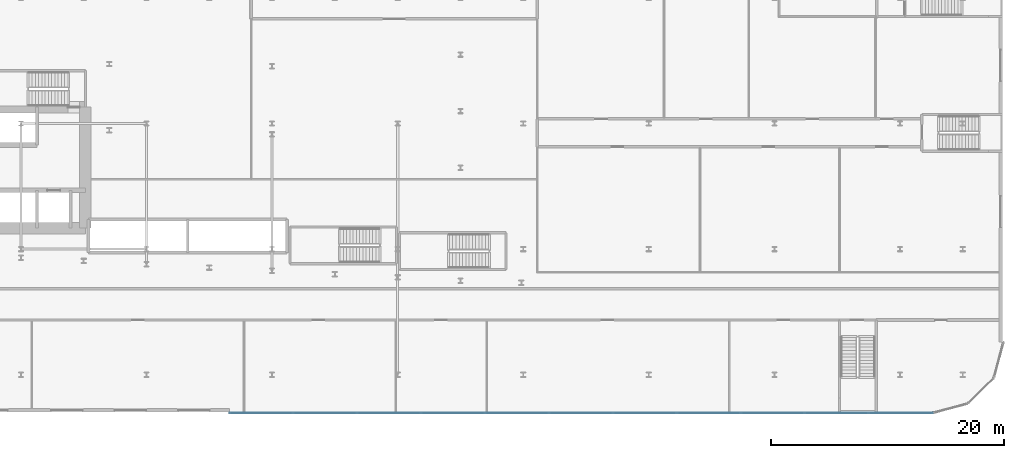
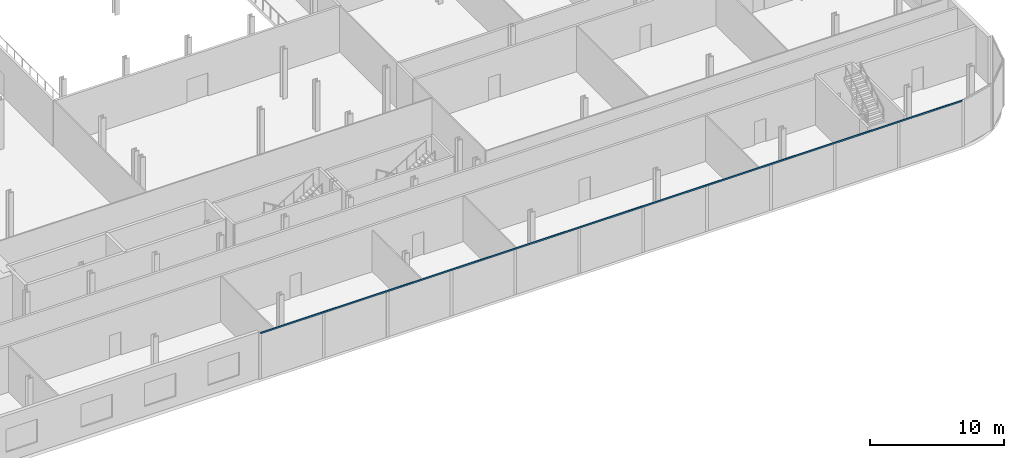
# One storey, part 11 of 47: 1 member, 1 element without a shape of its own.
"""IFC4 building model written with IfcOpenShell, lengths in metres."""

from ifc_helpers import new_model, si_unit, direction, frame, origin, origin_2d, place, context, subcontext, project, spatial, rectangle, extrude, material, layer, layer_set, material_profile, profile_set, type_object, element, aggregate, save


model = new_model("IFC4")

# Units and contexts
model_context = context("Model", 3, precision=1e-05, world=origin(), true_north=direction((0.0, 1.0)))
body_context = subcontext(model_context, "Body", "Model", "MODEL_VIEW")
ifc_project = project(units=[si_unit("LENGTHUNIT", "METRE"), si_unit("AREAUNIT", "SQUARE_METRE"), si_unit("VOLUMEUNIT", "CUBIC_METRE"), si_unit("PLANEANGLEUNIT", "RADIAN"), si_unit("MASSUNIT", "GRAM", prefix="KILO")], contexts=[model_context])

# Site, building, storey
site_placement = place(None, origin())
site = spatial("IfcSite", under=ifc_project, at=site_placement, CompositionType="ELEMENT")
building_placement = place(site_placement, origin())
building = spatial("IfcBuilding", under=site, at=building_placement, Name="Kheshtan School and Residences Tower", CompositionType="ELEMENT")
storey_placement = place(building_placement, frame((0.0, 0.0, 17.0)))
storey = spatial("IfcBuildingStorey", under=building, at=storey_placement, Name="L03", CompositionType="ELEMENT", Elevation=17.0)

# Curtain wall, member
ifc_material_1 = material(Name="Clear low-e glass in thermally broken aluminium frame", Category="aluminium")
ifc_layer = layer(ifc_material_1, 0.22509765625)
ifc_layer_set = layer_set([ifc_layer], Name="Curtain wall CW-P")
curtain_wall_type = type_object("IfcCurtainWallType", Name="Curtain wall CW-P", PredefinedType="NOTDEFINED", material=ifc_layer_set)
curtain_wall_placement = place(storey_placement, origin())
curtain_wall = element("IfcCurtainWall", 1, at=curtain_wall_placement, inside=storey, type_object=curtain_wall_type, Name="Curtain wall CWP12a", PredefinedType="NOTDEFINED")
ifc_material_2 = material(Name="Thermally broken aluminium, dark bronze anodised", Category="aluminium")
ifc_material_profile = material_profile(ifc_material_2, rectangle(XDim=0.06005859375, YDim=0.139892578125, at=origin_2d()), Name="CW-P transom 60x140")
ifc_profile_set = profile_set([ifc_material_profile], Name="Thermally broken aluminium, dark bronze anodised")
member_type = type_object("IfcMemberType", Name="CW-P transom 60x140", PredefinedType="USERDEFINED", material=ifc_profile_set)
member_placement = place(storey_placement, frame((126.02490234375, 9.89990234375, 4.179931640625), z_axis=(-1.0, 0.0, 0.0), x_axis=(0.0, -1.0, 0.0)))
member = element("IfcMember", 2, at=member_placement, type_object=member_type, Name="CWP12a transom 1", ObjectType="TRANSOM", PredefinedType="USERDEFINED", context=body_context, shape_type="SweptSolid", body=[
    extrude(rectangle(XDim=0.06005859375, YDim=0.139892578125, at=origin_2d()), origin(), (0.0, 0.0, 1.0), 60.44482421875),
])
aggregate(curtain_wall, [member])

save(model, "model.ifc")
